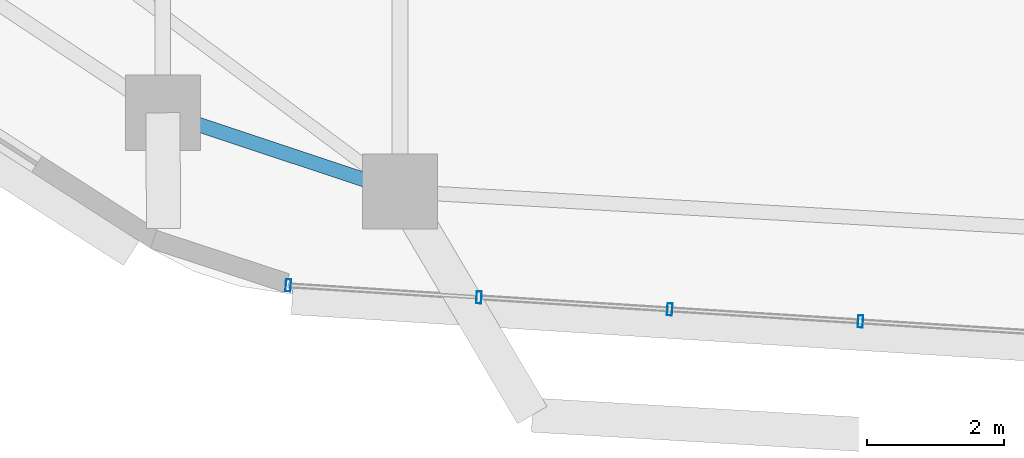
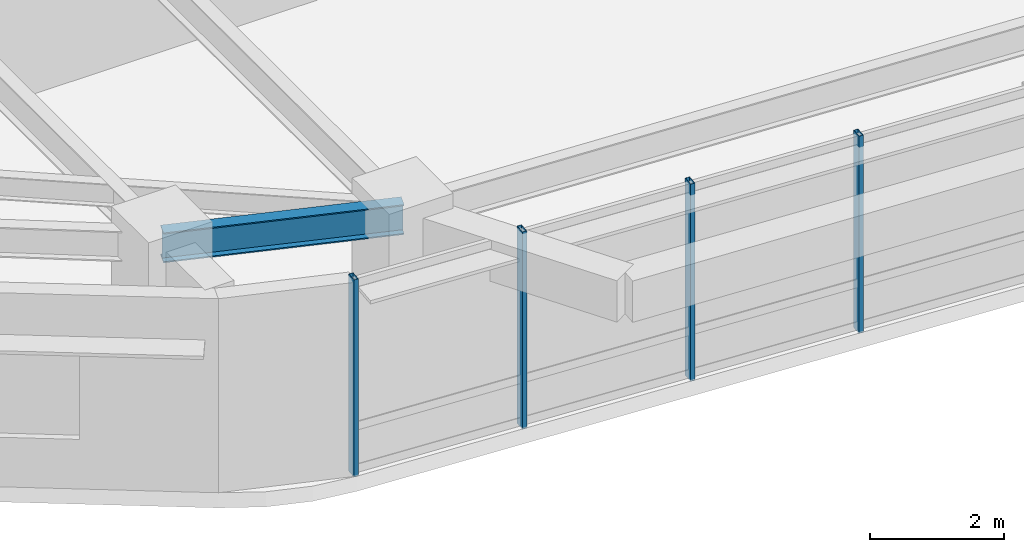
# One storey, part 2 of 12: 4 members, 1 beam, 1 element without a shape of its own.
"""IFC4 building model written with IfcOpenShell, lengths in metres."""

from ifc_helpers import new_model, si_unit, direction, frame, origin, origin_2d, place, context, subcontext, project, spatial, hollow_rectangle, i_section, extrude, material, material_profile, profile_set, type_object, element, aggregate, save


model = new_model("IFC4")

# Units and contexts
model_context = context("Model", 3, precision=1e-05, world=origin(), true_north=direction((0.0, 1.0)))
body_context = subcontext(model_context, "Body", "Model", "MODEL_VIEW")
ifc_project = project(units=[si_unit("LENGTHUNIT", "METRE"), si_unit("AREAUNIT", "SQUARE_METRE"), si_unit("VOLUMEUNIT", "CUBIC_METRE"), si_unit("PLANEANGLEUNIT", "RADIAN"), si_unit("MASSUNIT", "GRAM", prefix="KILO")], contexts=[model_context])

# Site, building, storey
site_placement = place(None, origin())
site = spatial("IfcSite", under=ifc_project, at=site_placement, CompositionType="ELEMENT")
building_placement = place(site_placement, origin())
building = spatial("IfcBuilding", under=site, at=building_placement, Name="Zulverin Broadcast Headquarters", CompositionType="ELEMENT")
storey_placement = place(building_placement, frame((0.0, 0.0, 93.39990234375)))
storey = spatial("IfcBuildingStorey", under=building, at=storey_placement, Name="L23", CompositionType="ELEMENT", Elevation=93.39990234375)

# Beam
ifc_material_1 = material(Name="Structural steel S355JR", Category="steel")
ifc_material_profile_1 = material_profile(ifc_material_1, i_section(OverallWidth=0.2119140625, OverallDepth=0.54443359375, WebThickness=0.0126953125, FlangeThickness=0.021240234375, at=origin_2d()), Name="Structural steel S355JR", Category="steel")
ifc_profile_set_1 = profile_set([ifc_material_profile_1], Name="Structural steel S355JR")
beam_type = type_object("IfcBeamType", Name="BM-UB-533", PredefinedType="SPANDREL", material=ifc_profile_set_1)
beam_placement = place(storey_placement, frame((26.3251953125, 5.075927734375, 3.252685546875), z_axis=(0.948949931395, -0.315426739047, 0.0), x_axis=(0.315426739047, 0.948949931395, 0.0)))
element("IfcBeam", 1, at=beam_placement, inside=storey, type_object=beam_type, Name="L23 Perimeter Spandrel Beam SP-16", PredefinedType="SPANDREL", context=body_context, shape_type="SweptSolid", body=[
    extrude(i_section(OverallWidth=0.2119140625, OverallDepth=0.54443359375, WebThickness=0.0126953125, FlangeThickness=0.021240234375, at=origin_2d()), origin(), (0.0, 0.0, 1.0), 3.657958984375),
])

# Curtain wall, members
ifc_material_2 = material(Name="Low-zone ribbon unitised curtain wall", Category="aluminium")
curtain_wall_type = type_object("IfcCurtainWallType", Name="CW-TWR-LOW", PredefinedType="USERDEFINED", material=ifc_material_2)
curtain_wall_placement = place(storey_placement, origin())
curtain_wall = element("IfcCurtainWall", 2, at=curtain_wall_placement, inside=storey, type_object=curtain_wall_type, Name="L23 Unitised Curtain Wall CW-L23-E1", ObjectType="UNITISED CURTAIN WALL", PredefinedType="USERDEFINED")
ifc_material_3 = material(Name="Anodized pale-metal aluminium alloy 6063-T6", Category="aluminium")
ifc_material_profile_2 = material_profile(ifc_material_3, hollow_rectangle(XDim=0.074951171875, YDim=0.179931640625, WallThickness=0.0048828125, at=origin_2d()), Name="Anodized pale-metal aluminium alloy 6063-T6", Category="aluminium")
ifc_profile_set_2 = profile_set([ifc_material_profile_2], Name="Anodized pale-metal aluminium alloy 6063-T6")
member_type = type_object("IfcMemberType", Name="CW-MUL-180", PredefinedType="MULLION", material=ifc_profile_set_2)
member_1_placement = place(storey_placement, frame((28.16015625, 2.55126953125, -0.02978515625), z_axis=(0.0, 0.0, 1.0), x_axis=(0.998017182581, -0.062942062821, 0.0)))
member_1 = element("IfcMember", 3, at=member_1_placement, type_object=member_type, Name="CW-L23-E1 Mullion 00", PredefinedType="MULLION", context=body_context, shape_type="SweptSolid", body=[
    extrude(hollow_rectangle(XDim=0.074951171875, YDim=0.179931640625, WallThickness=0.0048828125, at=origin_2d()), origin(), (0.0, 0.0, 1.0), 3.5849609375),
])
member_2_placement = place(storey_placement, frame((30.951171875, 2.375, -0.02978515625), z_axis=(0.0, 0.0, 1.0), x_axis=(0.998017182581, -0.062942062821, 0.0)))
member_2 = element("IfcMember", 4, at=member_2_placement, type_object=member_type, Name="CW-L23-E1 Mullion 01", PredefinedType="MULLION", context=body_context, shape_type="SweptSolid", body=[
    extrude(hollow_rectangle(XDim=0.074951171875, YDim=0.179931640625, WallThickness=0.0048828125, at=origin_2d()), origin(), (0.0, 0.0, 1.0), 3.5849609375),
])
member_3_placement = place(storey_placement, frame((33.742431640625, 2.19921875, -0.02978515625), z_axis=(0.0, 0.0, 1.0), x_axis=(0.998017182581, -0.062942062821, 0.0)))
member_3 = element("IfcMember", 5, at=member_3_placement, type_object=member_type, Name="CW-L23-E1 Mullion 02", PredefinedType="MULLION", context=body_context, shape_type="SweptSolid", body=[
    extrude(hollow_rectangle(XDim=0.074951171875, YDim=0.179931640625, WallThickness=0.0048828125, at=origin_2d()), origin(), (0.0, 0.0, 1.0), 3.5849609375),
])
member_4_placement = place(storey_placement, frame((36.533447265625, 2.023193359375, -0.02978515625), z_axis=(0.0, 0.0, 1.0), x_axis=(0.998017182581, -0.062942062821, 0.0)))
member_4 = element("IfcMember", 6, at=member_4_placement, type_object=member_type, Name="CW-L23-E1 Mullion 03", PredefinedType="MULLION", context=body_context, shape_type="SweptSolid", body=[
    extrude(hollow_rectangle(XDim=0.074951171875, YDim=0.179931640625, WallThickness=0.0048828125, at=origin_2d()), origin(), (0.0, 0.0, 1.0), 3.5849609375),
])
aggregate(curtain_wall, [member_1, member_2, member_3, member_4])

save(model, "model.ifc")
